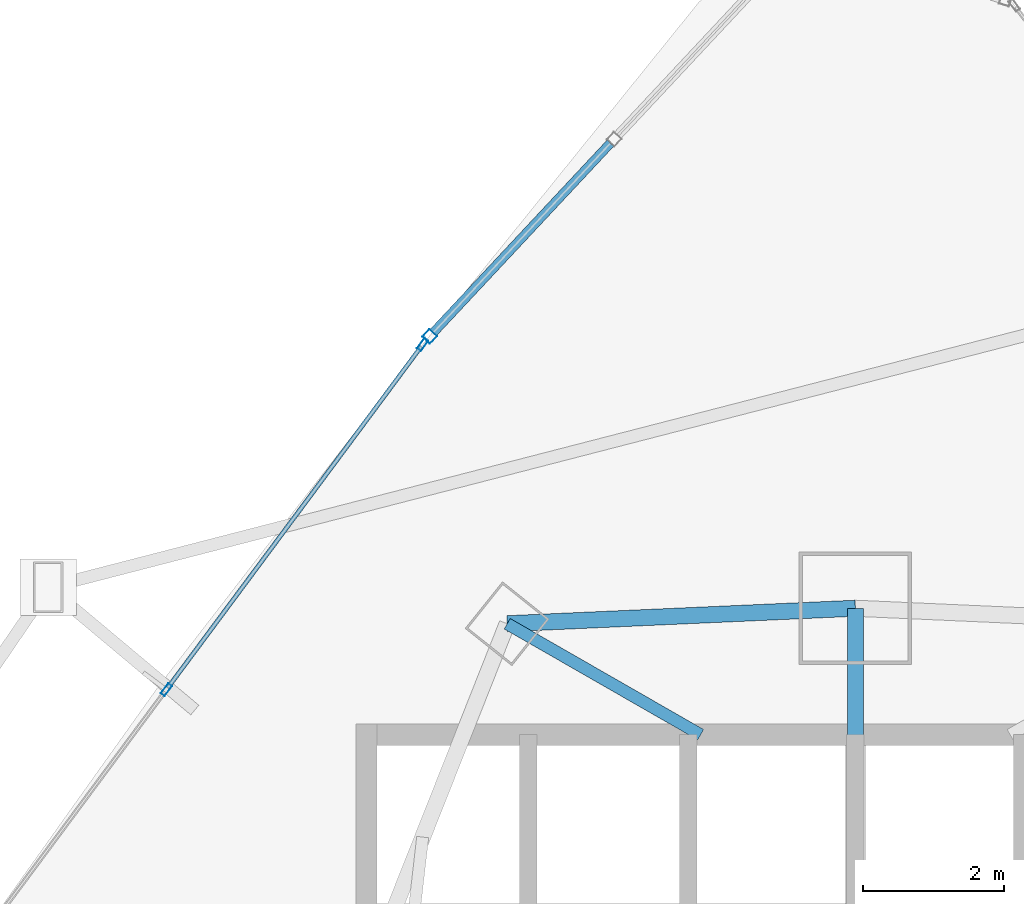
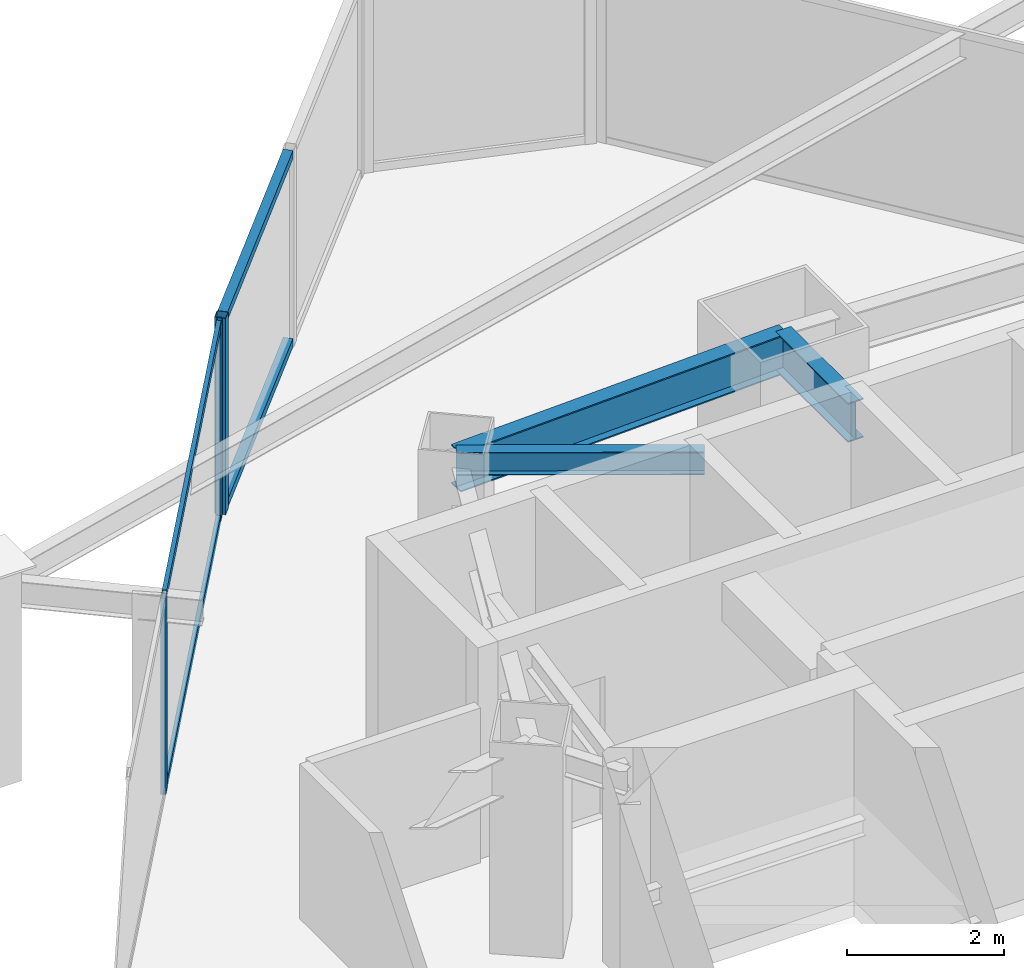
# One storey, part 22 of 34: 7 members, 3 beams, 2 elements without a shape of their own.
"""IFC4 building model written with IfcOpenShell, lengths in metres."""

from ifc_helpers import new_model, si_unit, direction, frame, origin, origin_2d, place, context, subcontext, project, spatial, hollow_rectangle, i_section, extrude, material, layer, layer_set, material_profile, profile_set, type_object, element, aggregate, save


model = new_model("IFC4")

# Units and contexts
model_context = context("Model", 3, precision=1e-05, world=origin(), true_north=direction((0.0, 1.0)))
body_context = subcontext(model_context, "Body", "Model", "MODEL_VIEW")
ifc_project = project(units=[si_unit("LENGTHUNIT", "METRE"), si_unit("AREAUNIT", "SQUARE_METRE"), si_unit("VOLUMEUNIT", "CUBIC_METRE"), si_unit("PLANEANGLEUNIT", "RADIAN"), si_unit("MASSUNIT", "GRAM", prefix="KILO")], contexts=[model_context])

# Site, building, storey
site_placement = place(None, origin())
site = spatial("IfcSite", under=ifc_project, at=site_placement, CompositionType="ELEMENT")
building_placement = place(site_placement, origin())
building = spatial("IfcBuilding", under=site, at=building_placement, Name="Orvanel Arch Residences", CompositionType="ELEMENT")
storey_placement = place(building_placement, frame((0.0, 0.0, 80.75)))
storey = spatial("IfcBuildingStorey", under=building, at=storey_placement, Name="L22", CompositionType="ELEMENT", Elevation=80.75)

# Beams
ifc_material_1 = material(Name="Structural steel AS/NZS 3679.1 Grade 300 (300 MPa)", Category="steel")
ifc_material_profile_1 = material_profile(ifc_material_1, i_section(OverallWidth=0.22900390625, OverallDepth=0.612060546875, WebThickness=0.011962890625, FlangeThickness=0.01953125, at=origin_2d()), Name="610UB125")
ifc_profile_set_1 = profile_set([ifc_material_profile_1], Name="Structural steel AS/NZS 3679.1 Grade 300 (300 MPa)")
beam_type_1 = type_object("IfcBeamType", Name="BG-610UB", PredefinedType="BEAM", material=ifc_profile_set_1)
beam_1_placement = place(storey_placement, frame((33.0, 39.550048828125, 2.75390625), z_axis=(0.0, 1.0, 0.0), x_axis=(-1.0, 0.0, 0.0)))
element("IfcBeam", 1, at=beam_1_placement, inside=storey, type_object=beam_type_1, Name="L22 North Radial Girder", PredefinedType="BEAM", context=body_context, shape_type="SweptSolid", body=[
    extrude(i_section(OverallWidth=0.22900390625, OverallDepth=0.612060546875, WebThickness=0.011962890625, FlangeThickness=0.01953125, at=origin_2d()), origin(), (0.0, 0.0, 1.0), 1.847900390625),
])
ifc_material_profile_2 = material_profile(ifc_material_1, i_section(OverallWidth=0.1708984375, OverallDepth=0.35595703125, WebThickness=0.00732421875, FlangeThickness=0.011474609375, at=origin_2d()), Name="360UB50.7")
ifc_profile_set_2 = profile_set([ifc_material_profile_2], Name="Structural steel AS/NZS 3679.1 Grade 300 (300 MPa)")
beam_type_2 = type_object("IfcBeamType", Name="BJ-360UB", PredefinedType="JOIST", material=ifc_profile_set_2)
beam_2_placement = place(storey_placement, frame((30.800048828125, 39.60009765625, 2.882080078125), z_axis=(-0.86736513383, 0.497672306458, 0.0), x_axis=(-0.497672306458, -0.86736513383, 0.0)))
element("IfcBeam", 2, at=beam_2_placement, inside=storey, type_object=beam_type_2, Name="L22 MNW Wing Floor Joist", PredefinedType="JOIST", context=body_context, shape_type="SweptSolid", body=[
    extrude(i_section(OverallWidth=0.1708984375, OverallDepth=0.35595703125, WebThickness=0.00732421875, FlangeThickness=0.011474609375, at=origin_2d()), origin(), (0.0, 0.0, 1.0), 3.17041015625),
])

# Curtain wall, member
ifc_material_2 = material(Name="Bronze-anodised aluminium AA6063-T6", Category="aluminium")
ifc_layer_1 = layer(ifc_material_2, 0.18994140625)
ifc_layer_set_1 = layer_set([ifc_layer_1], Name="Bronze-anodised aluminium AA6063-T6")
curtain_wall_type_1 = type_object("IfcCurtainWallType", Name="CW5-CRN-SYS", PredefinedType="NOTDEFINED", material=ifc_layer_set_1)
curtain_wall_1_placement = place(storey_placement, origin())
curtain_wall_1 = element("IfcCurtainWall", 3, at=curtain_wall_1_placement, inside=storey, type_object=curtain_wall_type_1, Name="L22 CW5-CRN-SYS Unitised Curtain Wall", PredefinedType="NOTDEFINED")
ifc_material_profile_3 = material_profile(ifc_material_2, hollow_rectangle(XDim=0.14990234375, YDim=0.14990234375, WallThickness=0.0048828125, at=origin_2d()), Name="ALU150x150x5")
ifc_profile_set_3 = profile_set([ifc_material_profile_3], Name="Bronze-anodised aluminium AA6063-T6")
member_type_1 = type_object("IfcMemberType", Name="MUL-150x150", PredefinedType="MULLION", material=ifc_profile_set_3)
member_1_placement = place(storey_placement, frame((26.947265625, 45.26171875, 0.0), z_axis=(0.0, 0.0, 1.0), x_axis=(0.730281692072, -0.683146141191, 0.0)))
member_1 = element("IfcMember", 4, at=member_1_placement, type_object=member_type_1, Name="CW-S5 mullion 3", PredefinedType="MULLION", context=body_context, shape_type="SweptSolid", body=[
    extrude(hollow_rectangle(XDim=0.14990234375, YDim=0.14990234375, WallThickness=0.0048828125, at=origin_2d()), origin(), (0.0, 0.0, 1.0), 3.06005859375),
])

# Curtain wall, members
ifc_layer_2 = layer(ifc_material_2, 0.179931640625)
ifc_layer_set_2 = layer_set([ifc_layer_2], Name="Bronze-anodised aluminium AA6063-T6")
curtain_wall_type_2 = type_object("IfcCurtainWallType", Name="CW2-LOW-SYS", PredefinedType="NOTDEFINED", material=ifc_layer_set_2)
curtain_wall_2_placement = place(storey_placement, origin())
curtain_wall_2 = element("IfcCurtainWall", 5, at=curtain_wall_2_placement, inside=storey, type_object=curtain_wall_type_2, Name="L22 CW2-LOW-SYS Unitised Curtain Wall", PredefinedType="NOTDEFINED")
ifc_material_profile_4 = material_profile(ifc_material_2, hollow_rectangle(XDim=0.070068359375, YDim=0.179931640625, WallThickness=0.00439453125, at=origin_2d()), Name="ALU180x70x4.5")
ifc_profile_set_4 = profile_set([ifc_material_profile_4], Name="Bronze-anodised aluminium AA6063-T6")
member_type_2 = type_object("IfcMemberType", Name="MUL-180x70", PredefinedType="MULLION", material=ifc_profile_set_4)
member_2_placement = place(storey_placement, frame((26.84912109375, 45.14794921875, 0.0), z_axis=(0.0, 0.0, 1.0), x_axis=(0.802859489606, -0.596168298343, 0.0)))
member_2 = element("IfcMember", 6, at=member_2_placement, type_object=member_type_2, Name="CW-S2 mullion 1", PredefinedType="MULLION", context=body_context, shape_type="SweptSolid", body=[
    extrude(hollow_rectangle(XDim=0.070068359375, YDim=0.179931640625, WallThickness=0.00439453125, at=origin_2d()), origin(), (0.0, 0.0, 1.0), 3.06005859375),
])
member_3_placement = place(storey_placement, frame((23.2041015625, 40.239013671875, 0.0), z_axis=(0.0, 0.0, 1.0), x_axis=(0.802859489606, -0.596168298343, 0.0)))
member_3 = element("IfcMember", 7, at=member_3_placement, type_object=member_type_2, Name="CW-S2 mullion 2", PredefinedType="MULLION", context=body_context, shape_type="SweptSolid", body=[
    extrude(hollow_rectangle(XDim=0.070068359375, YDim=0.179931640625, WallThickness=0.00439453125, at=origin_2d()), origin(), (0.0, 0.0, 1.0), 3.06005859375),
])

# Beam
ifc_material_profile_5 = material_profile(ifc_material_1, i_section(OverallWidth=0.22900390625, OverallDepth=0.612060546875, WebThickness=0.011962890625, FlangeThickness=0.01953125, at=origin_2d()), Name="610UB125")
ifc_profile_set_5 = profile_set([ifc_material_profile_5], Name="Structural steel AS/NZS 3679.1 Grade 300 (300 MPa)")
beam_type_3 = type_object("IfcBeamType", Name="SP-610UB", PredefinedType="SPANDREL", material=ifc_profile_set_5)
beam_3_placement = place(storey_placement, frame((33.0, 41.39794921875, 2.75390625), z_axis=(-0.999014049296, -0.044395149614, 0.0), x_axis=(0.044395149614, -0.999014049296, 0.0)))
element("IfcBeam", 8, at=beam_3_placement, inside=storey, type_object=beam_type_3, Name="L22 Perimeter Spandrel Beam 17", PredefinedType="SPANDREL", context=body_context, shape_type="SweptSolid", body=[
    extrude(i_section(OverallWidth=0.22900390625, OverallDepth=0.612060546875, WebThickness=0.011962890625, FlangeThickness=0.01953125, at=origin_2d()), origin(), (0.0, 0.0, 1.0), 4.954833984375),
])

# Member
ifc_material_profile_6 = material_profile(ifc_material_2, hollow_rectangle(XDim=0.1298828125, YDim=0.1298828125, WallThickness=0.00439453125, at=origin_2d()), Name="ALU130x130x4.5")
ifc_profile_set_6 = profile_set([ifc_material_profile_6], Name="Bronze-anodised aluminium AA6063-T6")
member_type_3 = type_object("IfcMemberType", Name="TRN-130x130", PredefinedType="USERDEFINED", material=ifc_profile_set_6)
member_4_placement = place(storey_placement, frame((29.518798828125, 48.0107421875, 0.06494140625), z_axis=(-0.68315485184, -0.730273543549, 0.0), x_axis=(0.730273543549, -0.68315485184, 0.0)))
member_4 = element("IfcMember", 9, at=member_4_placement, type_object=member_type_3, Name="CW-S5 transom 2.1", ObjectType="TRANSOM", PredefinedType="USERDEFINED", context=body_context, shape_type="SweptSolid", body=[
    extrude(hollow_rectangle(XDim=0.1298828125, YDim=0.1298828125, WallThickness=0.00439453125, at=origin_2d()), origin(), (0.0, 0.0, 1.0), 3.689208984375),
])

member_5_placement = place(storey_placement, frame((29.518798828125, 48.0107421875, 2.9951171875), z_axis=(-0.68315485184, -0.730273543549, 0.0), x_axis=(0.730273543549, -0.68315485184, 0.0)))
member_5 = element("IfcMember", 10, at=member_5_placement, type_object=member_type_3, Name="CW-S5 transom 2.2", ObjectType="TRANSOM", PredefinedType="USERDEFINED", context=body_context, shape_type="SweptSolid", body=[
    extrude(hollow_rectangle(XDim=0.1298828125, YDim=0.1298828125, WallThickness=0.00439453125, at=origin_2d()), origin(), (0.0, 0.0, 1.0), 3.689208984375),
])

aggregate(curtain_wall_1, [member_1, member_4, member_5])

ifc_material_profile_7 = material_profile(ifc_material_2, hollow_rectangle(XDim=0.06005859375, YDim=0.135009765625, WallThickness=0.00390625, at=origin_2d()), Name="ALU135x60x4")
ifc_profile_set_7 = profile_set([ifc_material_profile_7], Name="Bronze-anodised aluminium AA6063-T6")
member_type_4 = type_object("IfcMemberType", Name="TRN-135x60", PredefinedType="USERDEFINED", material=ifc_profile_set_7)
member_6_placement = place(storey_placement, frame((26.828369140625, 45.119873046875, 0.030029296875), z_axis=(-0.596173772264, -0.802855424884, 0.0), x_axis=(0.802855424884, -0.596173772264, 0.0)))
member_6 = element("IfcMember", 11, at=member_6_placement, type_object=member_type_4, Name="CW-S2 transom 1.1", ObjectType="TRANSOM", PredefinedType="USERDEFINED", context=body_context, shape_type="SweptSolid", body=[
    extrude(hollow_rectangle(XDim=0.06005859375, YDim=0.135009765625, WallThickness=0.00390625, at=origin_2d()), origin(), (0.0, 0.0, 1.0), 6.04443359375),
])

member_7_placement = place(storey_placement, frame((26.828369140625, 45.119873046875, 3.030029296875), z_axis=(-0.596173772264, -0.802855424884, 0.0), x_axis=(0.802855424884, -0.596173772264, 0.0)))
member_7 = element("IfcMember", 12, at=member_7_placement, type_object=member_type_4, Name="CW-S2 transom 1.2", ObjectType="TRANSOM", PredefinedType="USERDEFINED", context=body_context, shape_type="SweptSolid", body=[
    extrude(hollow_rectangle(XDim=0.06005859375, YDim=0.135009765625, WallThickness=0.00390625, at=origin_2d()), origin(), (0.0, 0.0, 1.0), 6.04443359375),
])

aggregate(curtain_wall_2, [member_2, member_3, member_6, member_7])

save(model, "model.ifc")
